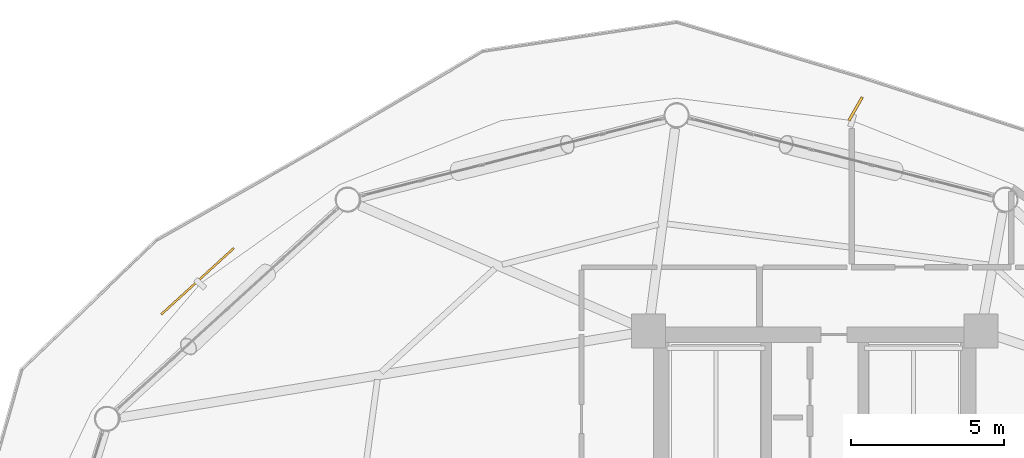
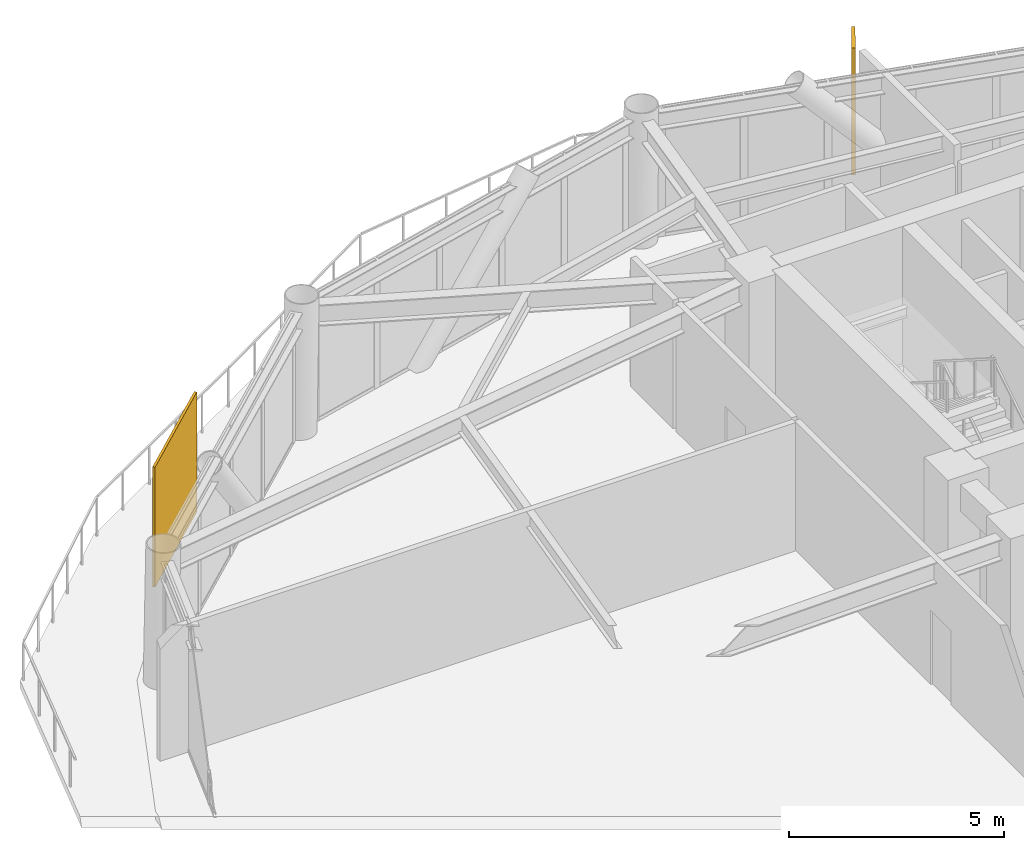
# One storey, part 24 of 24: 2 shading devices.
"""IFC4 building model written with IfcOpenShell, lengths in metres."""

from ifc_helpers import new_model, si_unit, direction, frame, origin, origin_2d, place, context, subcontext, project, spatial, rectangle, extrude, source, transform, mapped, material, type_object, type_shapes, element, save


model = new_model("IFC4")

# Units and contexts
model_context = context("Model", 3, precision=1e-05, world=origin(), true_north=direction((0.0, 1.0)))
body_context = subcontext(model_context, "Body", "Model", "MODEL_VIEW")
ifc_project = project(units=[si_unit("LENGTHUNIT", "METRE"), si_unit("AREAUNIT", "SQUARE_METRE"), si_unit("VOLUMEUNIT", "CUBIC_METRE"), si_unit("PLANEANGLEUNIT", "RADIAN"), si_unit("MASSUNIT", "GRAM", prefix="KILO")], contexts=[model_context])

# Site, building, storey
site_placement = place(None, origin())
site = spatial("IfcSite", under=ifc_project, at=site_placement, CompositionType="ELEMENT")
building_placement = place(site_placement, origin())
building = spatial("IfcBuilding", under=site, at=building_placement, Name="Varnakorn Sky Granary", CompositionType="ELEMENT")
storey_placement = place(building_placement, frame((0.0, 0.0, 103.199951171875)))
storey = spatial("IfcBuildingStorey", under=building, at=storey_placement, Name="L25", CompositionType="ELEMENT", Elevation=103.199951171875)

# Shading devices
ifc_material = material(Name="Anodised Bronze Aluminium Alloy 6063-T6", Category="aluminium")
shading_device_type_1 = type_object("IfcShadingDeviceType", Name="SH-FIN-01", PredefinedType="USERDEFINED", material=ifc_material)
shared_shape_1 = source(origin(), body_context, "Body", "SweptSolid", [
    extrude(rectangle(XDim=0.0849609375, YDim=0.8798828125, at=origin_2d()), origin(), (0.0, 0.0, 1.0), 3.60009765625),
])
type_shapes(shading_device_type_1, [shared_shape_1])
shading_device_1_placement = place(storey_placement, frame((4.332275390625, 19.86083984375, -0.0400390625), z_axis=(0.0, 0.0, 1.0), x_axis=(-0.867551554204, 0.497347263788, 0.0)))
element("IfcShadingDevice", 1, at=shading_device_1_placement, inside=storey, type_object=shading_device_type_1, Name="Bronze Solar-Tracking Vertical Blade FIN L25-03", ObjectType="FIN", PredefinedType="USERDEFINED", context=body_context, shape_type="MappedRepresentation", body=[
    mapped(shared_shape_1, transform((0.0, 0.0, 0.0), x_axis=(1.0, 0.0, 0.0), y_axis=(0.0, 1.0, 0.0), z_axis=(0.0, 0.0, 1.0), scale=1.0)),
])
shading_device_type_2 = type_object("IfcShadingDeviceType", Name="SH-SCR-01", PredefinedType="USERDEFINED", material=ifc_material)
shared_shape_2 = source(origin(), body_context, "Body", "SweptSolid", [
    extrude(rectangle(XDim=3.199951171875, YDim=0.06494140625, at=origin_2d()), origin(), (0.0, 0.0, 1.0), 3.39990234375),
])
type_shapes(shading_device_type_2, [shared_shape_2])
shading_device_2_placement = place(storey_placement, frame((-17.115478515625, 14.240234375, -0.039794921875), z_axis=(0.0, 0.0, 1.0), x_axis=(-0.738600362677, -0.674143533866, 0.0)))
element("IfcShadingDevice", 2, at=shading_device_2_placement, inside=storey, type_object=shading_device_type_2, Name="Perforated Bronze Solar Screen Panel SCREEN L25-05", ObjectType="SCREEN", PredefinedType="USERDEFINED", context=body_context, shape_type="MappedRepresentation", body=[
    mapped(shared_shape_2, transform((0.0, 0.0, 0.0), x_axis=(1.0, 0.0, 0.0), y_axis=(0.0, 1.0, 0.0), z_axis=(0.0, 0.0, 1.0), scale=1.0)),
])

save(model, "model.ifc")
